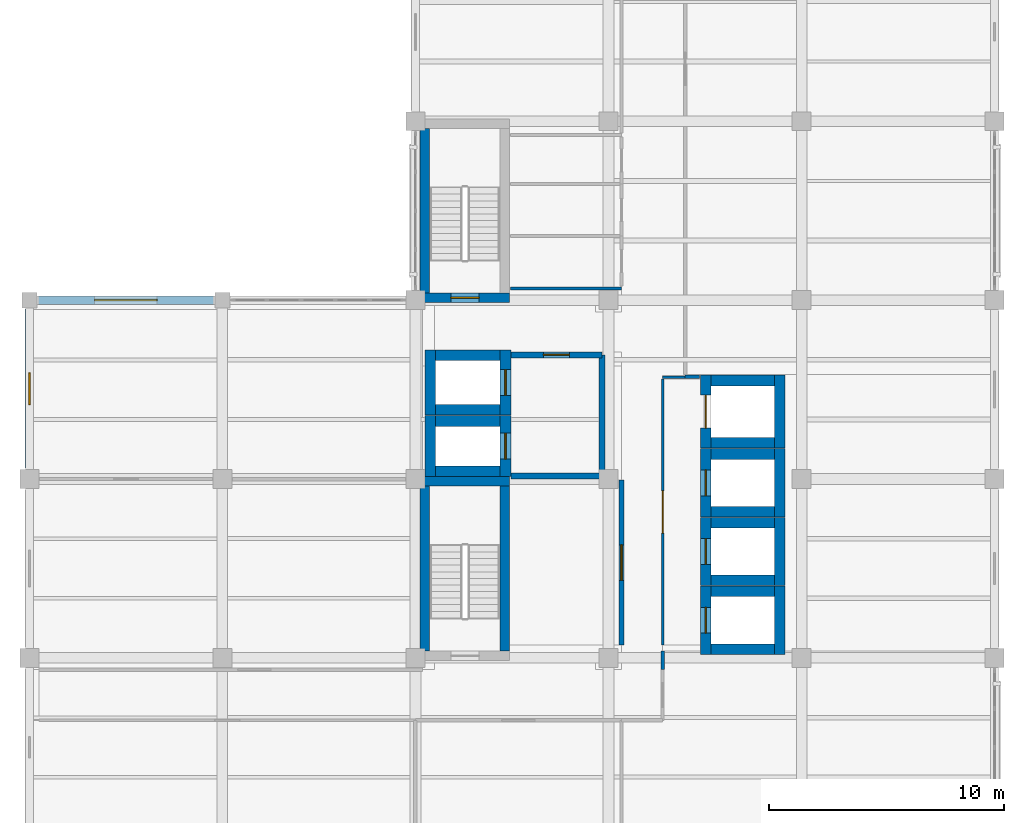
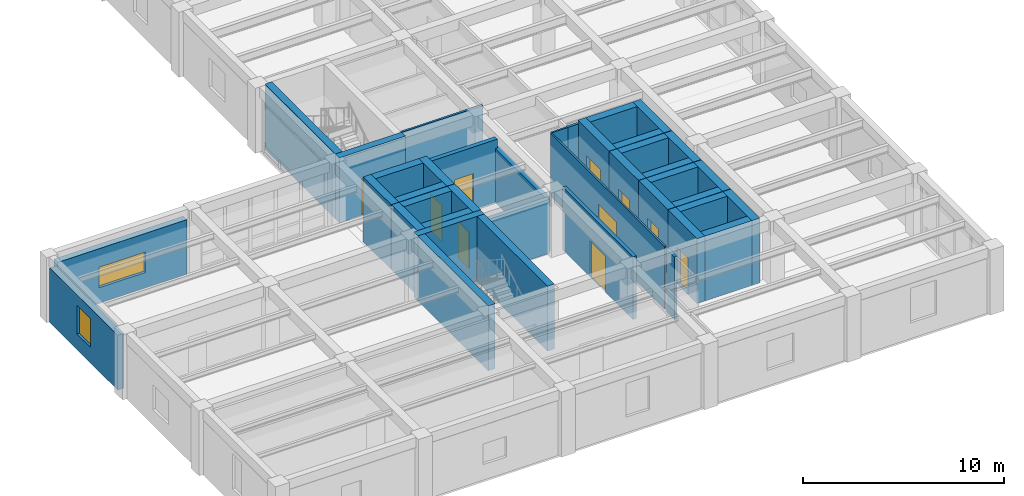
# One storey, part 8 of 14: 40 walls, 10 doors, 2 windows, 12 openings.
"""IFC4 building model written with IfcOpenShell, lengths in metres."""

from ifc_helpers import new_model, si_unit, direction, frame, frame_2d, origin, place, context, subcontext, project, spatial, rectangle, extrude, material, layer, layer_set, type_object, element, fill, save


model = new_model("IFC4")

# Units and contexts
model_context = context("Model", 3, precision=1e-05, world=origin(), true_north=direction((0.0, 1.0)))
body_context = subcontext(model_context, "Body", "Model", "MODEL_VIEW")
ifc_project = project(units=[si_unit("LENGTHUNIT", "METRE"), si_unit("AREAUNIT", "SQUARE_METRE"), si_unit("VOLUMEUNIT", "CUBIC_METRE"), si_unit("PLANEANGLEUNIT", "RADIAN"), si_unit("MASSUNIT", "GRAM", prefix="KILO")], contexts=[model_context])

# Site, building, storey
site_placement = place(None, origin())
site = spatial("IfcSite", under=ifc_project, at=site_placement, CompositionType="ELEMENT")
building_placement = place(site_placement, origin())
building = spatial("IfcBuilding", under=site, at=building_placement, Name="Qandaris Square Conservatory and Botanical Centre", CompositionType="ELEMENT")
storey_placement = place(building_placement, frame((0.0, 0.0, 40.800048828125)))
storey = spatial("IfcBuildingStorey", under=building, at=storey_placement, Name="L09", CompositionType="ELEMENT", Elevation=40.800048828125)

# Walls
ifc_material_1 = material(Name="Gypsum Plasterboard", Category="gypsum")
ifc_layer_1 = layer(ifc_material_1, 0.14990234375)
ifc_layer_set_1 = layer_set([ifc_layer_1], Name="Gypsum Plasterboard")
wall_type_1 = type_object("IfcWallType", Name="Acoustic Laboratory Partition 150mm", PredefinedType="PARTITIONING", material=ifc_layer_set_1)
wall_1_placement = place(storey_placement, frame((150.64990234375, 36.14990234375, 0.0), z_axis=(0.0, 0.0, 1.0), x_axis=(1.0, 0.0, 0.0)))
element("IfcWall", 1, at=wall_1_placement, inside=storey, type_object=wall_type_1, Name="Interior Partition IW-L09-0319", PredefinedType="PARTITIONING", context=body_context, shape_type="SweptSolid", body=[
    extrude(rectangle(XDim=0.6201171875, YDim=0.14990234375, at=frame_2d((0.31005859375, 0.0))), origin(), (0.0, 0.0, 1.0), 3.804931640625),
])
wall_2_placement = place(storey_placement, frame((149.699951171875, 24.5, 0.0), z_axis=(0.0, 0.0, 1.0), x_axis=(0.0, -1.0, 0.0)))
element("IfcWall", 2, at=wall_2_placement, inside=storey, type_object=wall_type_1, Name="Interior Partition IW-L09-0327", PredefinedType="PARTITIONING", context=body_context, shape_type="SweptSolid", body=[
    extrude(rectangle(XDim=0.800048828125, YDim=0.14990234375, at=frame_2d((0.39990234375, 0.0))), origin(), (0.0, 0.0, 1.0), 3.804931640625),
])

# Wall, opening, window
ifc_material_2 = material(Name="Precast concrete C40/50", Category="concrete")
ifc_layer_2 = layer(ifc_material_2, 0.360107421875)
ifc_layer_set_2 = layer_set([ifc_layer_2], Name="Precast concrete C40/50")
wall_type_2 = type_object("IfcWallType", Name="Architectural Precast Cladding Wall 360mm", PredefinedType="SOLIDWALL", material=ifc_layer_set_2)
wall_3_placement = place(storey_placement, frame((130.614990234375, 39.39990234375, 0.0), z_axis=(0.0, 0.0, 1.0), x_axis=(-1.0, 0.0, 0.0)))
wall_3 = element("IfcWall", 3, at=wall_3_placement, inside=storey, type_object=wall_type_2, Name="Exterior Wall EW-TWR-L09-5-2", PredefinedType="SOLIDWALL", context=body_context, shape_type="SweptSolid", body=[
    extrude(rectangle(XDim=7.429931640625, YDim=0.360107421875, at=frame_2d((3.71484375, 0.0))), origin(), (0.0, 0.0, 1.0), 3.324951171875),
])
opening_1_placement = place(wall_3_placement, frame((2.389892578125, 0.0, 0.949951171875)))
opening_1 = element("IfcOpeningElement", 4, at=opening_1_placement, cuts=wall_3, Name="Opening WN-41", PredefinedType="OPENING", context=body_context, shape_type="SweptSolid", body=[
    extrude(rectangle(XDim=2.64990234375, YDim=1.25, at=frame_2d((1.324951171875, 0.625))), frame((0.0, 0.19189453125, 0.0), z_axis=(0.0, -1.0, 0.0), x_axis=(1.0, 0.0, 0.0)), (0.0, 0.0, 1.0), 0.384033203125),
])
ifc_material_3 = material(Name="Tempered Low-E Glass", Category="glass")
window_type_1 = type_object("IfcWindowType", Name="Solar Control Window 2650x1250", PartitioningType="DOUBLE_PANEL_VERTICAL", PredefinedType="WINDOW", material=ifc_material_3)
window_1_placement = place(opening_1_placement, origin())
window_1 = element("IfcWindow", 5, at=window_1_placement, inside=storey, type_object=window_type_1, Name="Window EW-TWR-L09-5-2", OverallHeight=1.25, OverallWidth=2.64990234375, PartitioningType="DOUBLE_PANEL_VERTICAL", PredefinedType="WINDOW", context=body_context, shape_type="SweptSolid", body=[
    extrude(rectangle(XDim=2.64990234375, YDim=1.25, at=frame_2d((1.324951171875, 0.625))), frame((0.0, 0.030029296875, 0.0), z_axis=(0.0, -1.0, 0.0), x_axis=(1.0, 0.0, 0.0)), (0.0, 0.0, 1.0), 0.06005859375),
])
fill(opening_1, window_1)

wall_4_placement = place(storey_placement, frame((122.800048828125, 39.014892578125, 0.0), z_axis=(0.0, 0.0, 1.0), x_axis=(0.0, -1.0, 0.0)))
wall_4 = element("IfcWall", 6, at=wall_4_placement, inside=storey, type_object=wall_type_2, Name="Exterior Wall EW-TWR-L09-6-1", PredefinedType="SOLIDWALL", context=body_context, shape_type="SweptSolid", body=[
    extrude(rectangle(XDim=6.7548828125, YDim=0.360107421875, at=frame_2d((3.37744140625, 0.0))), origin(), (0.0, 0.0, 1.0), 3.324951171875),
])
opening_2_placement = place(wall_4_placement, frame((2.702392578125, 0.0, 0.949951171875)))
opening_2 = element("IfcOpeningElement", 7, at=opening_2_placement, cuts=wall_4, Name="Opening WN-23", PredefinedType="OPENING", context=body_context, shape_type="SweptSolid", body=[
    extrude(rectangle(XDim=1.35009765625, YDim=1.75, at=frame_2d((0.675048828125, 0.875))), frame((0.0, 0.19189453125, 0.0), z_axis=(0.0, -1.0, 0.0), x_axis=(1.0, 0.0, 0.0)), (0.0, 0.0, 1.0), 0.384033203125),
])
window_type_2 = type_object("IfcWindowType", Name="Solar Control Window 1350x1750", PartitioningType="SINGLE_PANEL", PredefinedType="WINDOW", material=ifc_material_3)
window_2_placement = place(opening_2_placement, origin())
window_2 = element("IfcWindow", 8, at=window_2_placement, inside=storey, type_object=window_type_2, Name="Window EW-TWR-L09-6-1", OverallHeight=1.75, OverallWidth=1.35009765625, PartitioningType="SINGLE_PANEL", PredefinedType="WINDOW", context=body_context, shape_type="SweptSolid", body=[
    extrude(rectangle(XDim=1.35009765625, YDim=1.75, at=frame_2d((0.675048828125, 0.875))), frame((0.0, 0.030029296875, 0.0), z_axis=(0.0, -1.0, 0.0), x_axis=(1.0, 0.0, 0.0)), (0.0, 0.0, 1.0), 0.06005859375),
])
fill(opening_2, window_2)

# Wall, opening, door
ifc_material_4 = material(Name="Concrete C40/50", Category="concrete")
ifc_layer_3 = layer(ifc_material_4, 0.25)
ifc_layer_set_3 = layer_set([ifc_layer_3], Name="Concrete C40/50")
wall_type_3 = type_object("IfcWallType", Name="Firefighting Lobby Compartment Wall 250mm", PredefinedType="SOLIDWALL", material=ifc_layer_set_3)
wall_5_placement = place(storey_placement, frame((143.25, 37.074951171875, 0.0), z_axis=(0.0, 0.0, 1.0), x_axis=(1.0, 0.0, 0.0)))
wall_5 = element("IfcWall", 9, at=wall_5_placement, inside=storey, type_object=wall_type_3, Name="Firefighting Lobby Wall North (L09)", PredefinedType="SOLIDWALL", context=body_context, shape_type="SweptSolid", body=[
    extrude(rectangle(XDim=3.875, YDim=0.25, at=frame_2d((1.9375, 0.0))), origin(), (0.0, 0.0, 1.0), 3.804931640625),
])
opening_3_placement = place(wall_5_placement, frame((1.387451171875, 0.0, 0.0)))
opening_3 = element("IfcOpeningElement", 10, at=opening_3_placement, cuts=wall_5, Name="Opening D-FFL", PredefinedType="OPENING", context=body_context, shape_type="SweptSolid", body=[
    extrude(rectangle(XDim=1.10009765625, YDim=2.199951171875, at=frame_2d((0.550048828125, 1.10009765625))), frame((0.0, 0.136962890625, 0.0), z_axis=(0.0, -1.0, 0.0), x_axis=(1.0, 0.0, 0.0)), (0.0, 0.0, 1.0), 0.27392578125),
])
ifc_material_5 = material(Name="Steel S355", Category="steel")
door_type_1 = type_object("IfcDoorType", Name="Firefighting Lobby Smoke-Seal Door 1100x2200", OperationType="NOTDEFINED", PredefinedType="DOOR", material=ifc_material_5)
door_1_placement = place(opening_3_placement, origin())
door_1 = element("IfcDoor", 11, at=door_1_placement, inside=storey, type_object=door_type_1, Name="DR-0292 Firefighting Lobby Door (L09)", OperationType="SINGLE_SWING_RIGHT", OverallHeight=2.199951171875, OverallWidth=1.10009765625, PredefinedType="DOOR", context=body_context, shape_type="SweptSolid", body=[
    extrude(rectangle(XDim=1.10009765625, YDim=2.199951171875, at=frame_2d((0.550048828125, 1.10009765625))), frame((0.0, 0.02490234375, 0.0), z_axis=(0.0, -1.0, 0.0), x_axis=(1.0, 0.0, 0.0)), (0.0, 0.0, 1.0), 0.050048828125),
])
fill(opening_3, door_1)

# Walls
wall_6_placement = place(storey_placement, frame((143.25, 31.925048828125, 0.0), z_axis=(0.0, 0.0, 1.0), x_axis=(1.0, 0.0, 0.0)))
element("IfcWall", 12, at=wall_6_placement, inside=storey, type_object=wall_type_3, Name="Firefighting Lobby Wall South (L09)", PredefinedType="SOLIDWALL", context=body_context, shape_type="SweptSolid", body=[
    extrude(rectangle(XDim=3.875, YDim=0.25, at=frame_2d((1.9375, 0.0))), origin(), (0.0, 0.0, 1.0), 3.27490234375),
])
wall_7_placement = place(storey_placement, frame((147.125, 31.925048828125, 0.0), z_axis=(0.0, 0.0, 1.0), x_axis=(0.0, 1.0, 0.0)))
element("IfcWall", 13, at=wall_7_placement, inside=storey, type_object=wall_type_3, Name="Firefighting Lobby Wall East (L09)", PredefinedType="SOLIDWALL", context=body_context, shape_type="SweptSolid", body=[
    extrude(rectangle(XDim=5.14990234375, YDim=0.25, at=frame_2d((2.574951171875, 0.0))), origin(), (0.0, 0.0, 1.0), 3.27490234375),
])

# Wall, opening, door
ifc_layer_4 = layer(ifc_material_3, 0.10009765625)
ifc_layer_set_4 = layer_set([ifc_layer_4], Name="Tempered Low-E Glass")
wall_type_4 = type_object("IfcWallType", Name="Framed Acoustic Glazed Gallery Screen 100mm", PredefinedType="PARTITIONING", material=ifc_layer_set_4)
wall_8_placement = place(storey_placement, frame((149.699951171875, 24.75, 0.0), z_axis=(0.0, 0.0, 1.0), x_axis=(0.0, 1.0, 0.0)))
wall_8 = element("IfcWall", 14, at=wall_8_placement, inside=storey, type_object=wall_type_4, Name="Interior Partition IW-L09-0317", PredefinedType="PARTITIONING", context=body_context, shape_type="SweptSolid", body=[
    extrude(rectangle(XDim=11.300048828125, YDim=0.10009765625, at=frame_2d((5.64990234375, 0.0))), origin(), (0.0, 0.0, 1.0), 3.804931640625),
])
opening_4_placement = place(wall_8_placement, frame((4.75, 0.0, 0.0)))
opening_4 = element("IfcOpeningElement", 15, at=opening_4_placement, cuts=wall_8, Name="Opening D-GL1", PredefinedType="OPENING", context=body_context, shape_type="SweptSolid", body=[
    extrude(rectangle(XDim=1.800048828125, YDim=2.39990234375, at=frame_2d((0.89990234375, 1.199951171875))), frame((0.0, 0.06201171875, 0.0), z_axis=(0.0, -1.0, 0.0), x_axis=(1.0, 0.0, 0.0)), (0.0, 0.0, 1.0), 0.1240234375),
])
ifc_material_6 = material(Name="Anodised Aluminium", Category="aluminium")
door_type_2 = type_object("IfcDoorType", Name="Visitor Gallery Glazed Double Door 1800x2400", OperationType="DOUBLE_DOOR_SINGLE_SWING", PredefinedType="DOOR", material=ifc_material_6)
door_2_placement = place(opening_4_placement, frame((1.800048828125, 0.0, 0.0), z_axis=(0.0, 0.0, 1.0), x_axis=(-1.0, 0.0, 0.0)))
door_2 = element("IfcDoor", 16, at=door_2_placement, inside=storey, type_object=door_type_2, Name="DR-0293 Main Circulation Corridor L09 Door", OperationType="DOUBLE_DOOR_SINGLE_SWING", OverallHeight=2.39990234375, OverallWidth=1.800048828125, PredefinedType="DOOR", context=body_context, shape_type="SweptSolid", body=[
    extrude(rectangle(XDim=1.800048828125, YDim=2.39990234375, at=frame_2d((0.89990234375, 1.199951171875))), frame((0.0, 0.02490234375, 0.0), z_axis=(0.0, -1.0, 0.0), x_axis=(1.0, 0.0, 0.0)), (0.0, 0.0, 1.0), 0.050048828125),
])
fill(opening_4, door_2)

# Wall
wall_9_placement = place(storey_placement, frame((149.699951171875, 36.125, 0.0), z_axis=(0.0, 0.0, 1.0), x_axis=(1.0, 0.0, 0.0)))
element("IfcWall", 17, at=wall_9_placement, inside=storey, type_object=wall_type_4, Name="Interior Partition IW-L09-0318", PredefinedType="PARTITIONING", context=body_context, shape_type="SweptSolid", body=[
    extrude(rectangle(XDim=0.949951171875, YDim=0.10009765625, at=frame_2d((0.47509765625, 0.0))), origin(), (0.0, 0.0, 1.0), 3.804931640625),
])

# Wall, opening, door
ifc_layer_5 = layer(ifc_material_4, 0.199951171875)
ifc_layer_set_5 = layer_set([ifc_layer_5], Name="Concrete C40/50")
wall_type_5 = type_object("IfcWallType", Name="Herbarium & Plant Compartment Wall 200mm", PredefinedType="PARTITIONING", material=ifc_layer_set_5)
wall_10_placement = place(storey_placement, frame((147.949951171875, 31.75, 0.0), z_axis=(0.0, 0.0, 1.0), x_axis=(0.0, -1.0, 0.0)))
wall_10 = element("IfcWall", 18, at=wall_10_placement, inside=storey, type_object=wall_type_5, Name="Interior Partition IW-L09-0316", PredefinedType="PARTITIONING", context=body_context, shape_type="SweptSolid", body=[
    extrude(rectangle(XDim=7.0, YDim=0.199951171875, at=frame_2d((3.5, 0.0))), origin(), (0.0, 0.0, 1.0), 3.804931640625),
])
opening_5_placement = place(wall_10_placement, frame((2.75, 0.0, 0.0)))
opening_5 = element("IfcOpeningElement", 19, at=opening_5_placement, cuts=wall_10, Name="Opening D-PLT1", PredefinedType="OPENING", context=body_context, shape_type="SweptSolid", body=[
    extrude(rectangle(XDim=1.5, YDim=2.199951171875, at=frame_2d((0.75, 1.10009765625))), frame((0.0, 0.11181640625, 0.0), z_axis=(0.0, -1.0, 0.0), x_axis=(1.0, 0.0, 0.0)), (0.0, 0.0, 1.0), 0.223876953125),
])
door_type_3 = type_object("IfcDoorType", Name="Plant & Riser Double Fire Door 1500x2200", OperationType="DOUBLE_DOOR_SINGLE_SWING", PredefinedType="DOOR", material=ifc_material_5)
door_3_placement = place(opening_5_placement, origin())
door_3 = element("IfcDoor", 20, at=door_3_placement, inside=storey, type_object=door_type_3, Name="DR-0303 Electrical and Telecom Riser Room L09 Door", OperationType="DOUBLE_DOOR_SINGLE_SWING", OverallHeight=2.199951171875, OverallWidth=1.5, PredefinedType="DOOR", context=body_context, shape_type="SweptSolid", body=[
    extrude(rectangle(XDim=1.5, YDim=2.199951171875, at=frame_2d((0.75, 1.10009765625))), frame((0.0, 0.02490234375, 0.0), z_axis=(0.0, -1.0, 0.0), x_axis=(1.0, 0.0, 0.0)), (0.0, 0.0, 1.0), 0.050048828125),
])
fill(opening_5, door_3)

# Walls
ifc_material_7 = material(Name="Concrete C50/60", Category="concrete")
ifc_layer_6 = layer(ifc_material_7, 0.449951171875)
ifc_layer_set_6 = layer_set([ifc_layer_6], Name="Concrete C50/60")
wall_type_6 = type_object("IfcWallType", Name="RC Coupled Core Shear Wall 450mm", PredefinedType="SHEAR", material=ifc_layer_set_6)
for number, where, z_axis, x_axis, name in (
    (21, (140.06005859375, 32.135009765625, 0.0), (0.0, 0.0, 1.0), (1.0, 0.0, 0.0), "Lift FFL1 Shaft Wall South (L09)"),
    (22, (140.06005859375, 34.264892578125, 0.0), (0.0, 0.0, 1.0), (1.0, 0.0, 0.0), "Lift FFL1 Shaft Wall North (L09)"),
):
    element("IfcWall", number, at=place(storey_placement, frame(where, z_axis=z_axis, x_axis=x_axis)), inside=storey, type_object=wall_type_6, Name=name, PredefinedType="SHEAR", context=body_context, shape_type="SweptSolid", body=[
        extrude(rectangle(XDim=2.739990234375, YDim=0.449951171875, at=frame_2d((1.3701171875, 0.0))), origin(), (0.0, 0.0, 1.0), 3.93994140625),
    ])
wall_11_placement = place(storey_placement, frame((139.8349609375, 31.909912109375, 0.0), z_axis=(0.0, 0.0, 1.0), x_axis=(0.0, 1.0, 0.0)))
element("IfcWall", 23, at=wall_11_placement, inside=storey, type_object=wall_type_6, Name="Lift FFL1 Shaft Wall West (L09)", PredefinedType="SHEAR", context=body_context, shape_type="SweptSolid", body=[
    extrude(rectangle(XDim=2.580078125, YDim=0.449951171875, at=frame_2d((1.2900390625, 0.0))), origin(), (0.0, 0.0, 1.0), 3.93994140625),
])

# Wall, opening, door
wall_12_placement = place(storey_placement, frame((143.02490234375, 31.909912109375, 0.0), z_axis=(0.0, 0.0, 1.0), x_axis=(0.0, 1.0, 0.0)))
wall_12 = element("IfcWall", 24, at=wall_12_placement, inside=storey, type_object=wall_type_6, Name="Lift FFL1 Shaft Wall East (L09)", PredefinedType="SHEAR", context=body_context, shape_type="SweptSolid", body=[
    extrude(rectangle(XDim=2.580078125, YDim=0.449951171875, at=frame_2d((1.2900390625, 0.0))), origin(), (0.0, 0.0, 1.0), 3.93994140625),
])
opening_6_placement = place(wall_12_placement, frame((0.739990234375, 0.0, 0.0)))
opening_6 = element("IfcOpeningElement", 25, at=opening_6_placement, cuts=wall_12, Name="Opening LD-FFL", PredefinedType="OPENING", context=body_context, shape_type="SweptSolid", body=[
    extrude(rectangle(XDim=1.10009765625, YDim=2.199951171875, at=frame_2d((0.550048828125, 1.10009765625))), frame((0.0, 0.23681640625, 0.0), z_axis=(0.0, -1.0, 0.0), x_axis=(1.0, 0.0, 0.0)), (0.0, 0.0, 1.0), 0.473876953125),
])
door_type_4 = type_object("IfcDoorType", Name="Firefighting Lift Sliding Landing Door 1100x2200", OperationType="DOUBLE_DOOR_SLIDING", PredefinedType="DOOR", material=ifc_material_5)
door_4_placement = place(opening_6_placement, origin())
door_4 = element("IfcDoor", 26, at=door_4_placement, inside=storey, type_object=door_type_4, Name="DR-0309 Lift FFL1 Landing Door (L09)", OperationType="DOUBLE_DOOR_SLIDING", OverallHeight=2.199951171875, OverallWidth=1.10009765625, PredefinedType="DOOR", context=body_context, shape_type="SweptSolid", body=[
    extrude(rectangle(XDim=1.10009765625, YDim=2.199951171875, at=frame_2d((0.550048828125, 1.10009765625))), frame((0.0, 0.02490234375, 0.0), z_axis=(0.0, -1.0, 0.0), x_axis=(1.0, 0.0, 0.0)), (0.0, 0.0, 1.0), 0.050048828125),
])
fill(opening_6, door_4)

# Walls
for number, where, z_axis, x_axis, name in (
    (27, (140.06005859375, 34.735107421875, 0.0), (0.0, 0.0, 1.0), (1.0, 0.0, 0.0), "Lift FFL2 Shaft Wall South (L09)"),
    (28, (140.06005859375, 37.06494140625, 0.0), (0.0, 0.0, 1.0), (1.0, 0.0, 0.0), "Lift FFL2 Shaft Wall North (L09)"),
):
    element("IfcWall", number, at=place(storey_placement, frame(where, z_axis=z_axis, x_axis=x_axis)), inside=storey, type_object=wall_type_6, Name=name, PredefinedType="SHEAR", context=body_context, shape_type="SweptSolid", body=[
        extrude(rectangle(XDim=2.739990234375, YDim=0.449951171875, at=frame_2d((1.3701171875, 0.0))), origin(), (0.0, 0.0, 1.0), 3.93994140625),
    ])
wall_13_placement = place(storey_placement, frame((139.8349609375, 34.510009765625, 0.0), z_axis=(0.0, 0.0, 1.0), x_axis=(0.0, 1.0, 0.0)))
element("IfcWall", 29, at=wall_13_placement, inside=storey, type_object=wall_type_6, Name="Lift FFL2 Shaft Wall West (L09)", PredefinedType="SHEAR", context=body_context, shape_type="SweptSolid", body=[
    extrude(rectangle(XDim=2.780029296875, YDim=0.449951171875, at=frame_2d((1.39013671875, 0.0))), origin(), (0.0, 0.0, 1.0), 3.93994140625),
])

# Wall, opening, door
wall_14_placement = place(storey_placement, frame((143.02490234375, 34.510009765625, 0.0), z_axis=(0.0, 0.0, 1.0), x_axis=(0.0, 1.0, 0.0)))
wall_14 = element("IfcWall", 30, at=wall_14_placement, inside=storey, type_object=wall_type_6, Name="Lift FFL2 Shaft Wall East (L09)", PredefinedType="SHEAR", context=body_context, shape_type="SweptSolid", body=[
    extrude(rectangle(XDim=2.780029296875, YDim=0.449951171875, at=frame_2d((1.39013671875, 0.0))), origin(), (0.0, 0.0, 1.0), 3.93994140625),
])
opening_7_placement = place(wall_14_placement, frame((0.840087890625, 0.0, 0.0)))
opening_7 = element("IfcOpeningElement", 31, at=opening_7_placement, cuts=wall_14, Name="Opening LD-FFL", PredefinedType="OPENING", context=body_context, shape_type="SweptSolid", body=[
    extrude(rectangle(XDim=1.10009765625, YDim=2.199951171875, at=frame_2d((0.550048828125, 1.10009765625))), frame((0.0, 0.23681640625, 0.0), z_axis=(0.0, -1.0, 0.0), x_axis=(1.0, 0.0, 0.0)), (0.0, 0.0, 1.0), 0.473876953125),
])
door_5_placement = place(opening_7_placement, origin())
door_5 = element("IfcDoor", 32, at=door_5_placement, inside=storey, type_object=door_type_4, Name="DR-0310 Lift FFL2 Landing Door (L09)", OperationType="DOUBLE_DOOR_SLIDING", OverallHeight=2.199951171875, OverallWidth=1.10009765625, PredefinedType="DOOR", context=body_context, shape_type="SweptSolid", body=[
    extrude(rectangle(XDim=1.10009765625, YDim=2.199951171875, at=frame_2d((0.550048828125, 1.10009765625))), frame((0.0, 0.02490234375, 0.0), z_axis=(0.0, -1.0, 0.0), x_axis=(1.0, 0.0, 0.0)), (0.0, 0.0, 1.0), 0.050048828125),
])
fill(opening_7, door_5)

# Walls
for number, where, z_axis, x_axis, name in (
    (33, (151.75, 24.574951171875, 0.0), (0.0, 0.0, 1.0), (1.0, 0.0, 0.0), "Lift PL1 Shaft Wall South (L09)"),
    (34, (151.75, 27.02490234375, 0.0), (0.0, 0.0, 1.0), (1.0, 0.0, 0.0), "Lift PL1 Shaft Wall North (L09)"),
):
    element("IfcWall", number, at=place(storey_placement, frame(where, z_axis=z_axis, x_axis=x_axis)), inside=storey, type_object=wall_type_6, Name=name, PredefinedType="SHEAR", context=body_context, shape_type="SweptSolid", body=[
        extrude(rectangle(XDim=2.699951171875, YDim=0.449951171875, at=frame_2d((1.35009765625, 0.0))), origin(), (0.0, 0.0, 1.0), 3.93994140625),
    ])

# Wall, opening, door
wall_15_placement = place(storey_placement, frame((151.52490234375, 24.35009765625, 0.0), z_axis=(0.0, 0.0, 1.0), x_axis=(0.0, 1.0, 0.0)))
wall_15 = element("IfcWall", 35, at=wall_15_placement, inside=storey, type_object=wall_type_6, Name="Lift PL1 Shaft Wall West (L09)", PredefinedType="SHEAR", context=body_context, shape_type="SweptSolid", body=[
    extrude(rectangle(XDim=2.89990234375, YDim=0.449951171875, at=frame_2d((1.449951171875, 0.0))), origin(), (0.0, 0.0, 1.0), 3.93994140625),
])
opening_8_placement = place(wall_15_placement, frame((0.89990234375, 0.0, 0.0)))
opening_8 = element("IfcOpeningElement", 36, at=opening_8_placement, cuts=wall_15, Name="Opening LD-PAX", PredefinedType="OPENING", context=body_context, shape_type="SweptSolid", body=[
    extrude(rectangle(XDim=1.10009765625, YDim=2.199951171875, at=frame_2d((0.550048828125, 1.10009765625))), frame((0.0, 0.23681640625, 0.0), z_axis=(0.0, -1.0, 0.0), x_axis=(1.0, 0.0, 0.0)), (0.0, 0.0, 1.0), 0.473876953125),
])
door_type_5 = type_object("IfcDoorType", Name="Passenger Lift Sliding Landing Door 1100x2200", OperationType="DOUBLE_DOOR_SLIDING", PredefinedType="DOOR", material=ifc_material_6)
door_6_placement = place(opening_8_placement, origin())
door_6 = element("IfcDoor", 37, at=door_6_placement, inside=storey, type_object=door_type_5, Name="DR-0312 Lift PL1 Landing Door (L09)", OperationType="DOUBLE_DOOR_SLIDING", OverallHeight=2.199951171875, OverallWidth=1.10009765625, PredefinedType="DOOR", context=body_context, shape_type="SweptSolid", body=[
    extrude(rectangle(XDim=1.10009765625, YDim=2.199951171875, at=frame_2d((0.550048828125, 1.10009765625))), frame((0.0, 0.02490234375, 0.0), z_axis=(0.0, -1.0, 0.0), x_axis=(1.0, 0.0, 0.0)), (0.0, 0.0, 1.0), 0.050048828125),
])
fill(opening_8, door_6)

# Walls
wall_16_placement = place(storey_placement, frame((154.675048828125, 24.35009765625, 0.0), z_axis=(0.0, 0.0, 1.0), x_axis=(0.0, 1.0, 0.0)))
element("IfcWall", 38, at=wall_16_placement, inside=storey, type_object=wall_type_6, Name="Lift PL1 Shaft Wall East (L09)", PredefinedType="SHEAR", context=body_context, shape_type="SweptSolid", body=[
    extrude(rectangle(XDim=2.89990234375, YDim=0.449951171875, at=frame_2d((1.449951171875, 0.0))), origin(), (0.0, 0.0, 1.0), 3.93994140625),
])
for number, where, z_axis, x_axis, name in (
    (39, (151.75, 27.4951171875, 0.0), (0.0, 0.0, 1.0), (1.0, 0.0, 0.0), "Lift PL2 Shaft Wall South (L09)"),
    (40, (151.75, 29.945068359375, 0.0), (0.0, 0.0, 1.0), (1.0, 0.0, 0.0), "Lift PL2 Shaft Wall North (L09)"),
):
    element("IfcWall", number, at=place(storey_placement, frame(where, z_axis=z_axis, x_axis=x_axis)), inside=storey, type_object=wall_type_6, Name=name, PredefinedType="SHEAR", context=body_context, shape_type="SweptSolid", body=[
        extrude(rectangle(XDim=2.699951171875, YDim=0.449951171875, at=frame_2d((1.35009765625, 0.0))), origin(), (0.0, 0.0, 1.0), 3.93994140625),
    ])

# Wall, opening, door
wall_17_placement = place(storey_placement, frame((151.52490234375, 27.27001953125, 0.0), z_axis=(0.0, 0.0, 1.0), x_axis=(0.0, 1.0, 0.0)))
wall_17 = element("IfcWall", 41, at=wall_17_placement, inside=storey, type_object=wall_type_6, Name="Lift PL2 Shaft Wall West (L09)", PredefinedType="SHEAR", context=body_context, shape_type="SweptSolid", body=[
    extrude(rectangle(XDim=2.89990234375, YDim=0.449951171875, at=frame_2d((1.449951171875, 0.0))), origin(), (0.0, 0.0, 1.0), 3.93994140625),
])
opening_9_placement = place(wall_17_placement, frame((0.89990234375, 0.0, 0.0)))
opening_9 = element("IfcOpeningElement", 42, at=opening_9_placement, cuts=wall_17, Name="Opening LD-PAX", PredefinedType="OPENING", context=body_context, shape_type="SweptSolid", body=[
    extrude(rectangle(XDim=1.10009765625, YDim=2.199951171875, at=frame_2d((0.550048828125, 1.10009765625))), frame((0.0, 0.23681640625, 0.0), z_axis=(0.0, -1.0, 0.0), x_axis=(1.0, 0.0, 0.0)), (0.0, 0.0, 1.0), 0.473876953125),
])
door_7_placement = place(opening_9_placement, origin())
door_7 = element("IfcDoor", 43, at=door_7_placement, inside=storey, type_object=door_type_5, Name="DR-0313 Lift PL2 Landing Door (L09)", OperationType="DOUBLE_DOOR_SLIDING", OverallHeight=2.199951171875, OverallWidth=1.10009765625, PredefinedType="DOOR", context=body_context, shape_type="SweptSolid", body=[
    extrude(rectangle(XDim=1.10009765625, YDim=2.199951171875, at=frame_2d((0.550048828125, 1.10009765625))), frame((0.0, 0.02490234375, 0.0), z_axis=(0.0, -1.0, 0.0), x_axis=(1.0, 0.0, 0.0)), (0.0, 0.0, 1.0), 0.050048828125),
])
fill(opening_9, door_7)

# Walls
wall_18_placement = place(storey_placement, frame((154.675048828125, 27.27001953125, 0.0), z_axis=(0.0, 0.0, 1.0), x_axis=(0.0, 1.0, 0.0)))
element("IfcWall", 44, at=wall_18_placement, inside=storey, type_object=wall_type_6, Name="Lift PL2 Shaft Wall East (L09)", PredefinedType="SHEAR", context=body_context, shape_type="SweptSolid", body=[
    extrude(rectangle(XDim=2.89990234375, YDim=0.449951171875, at=frame_2d((1.449951171875, 0.0))), origin(), (0.0, 0.0, 1.0), 3.93994140625),
])
for number, where, z_axis, x_axis, name in (
    (45, (151.75, 30.4150390625, 0.0), (0.0, 0.0, 1.0), (1.0, 0.0, 0.0), "Lift PL3 Shaft Wall South (L09)"),
    (46, (151.75, 32.864990234375, 0.0), (0.0, 0.0, 1.0), (1.0, 0.0, 0.0), "Lift PL3 Shaft Wall North (L09)"),
):
    element("IfcWall", number, at=place(storey_placement, frame(where, z_axis=z_axis, x_axis=x_axis)), inside=storey, type_object=wall_type_6, Name=name, PredefinedType="SHEAR", context=body_context, shape_type="SweptSolid", body=[
        extrude(rectangle(XDim=2.699951171875, YDim=0.449951171875, at=frame_2d((1.35009765625, 0.0))), origin(), (0.0, 0.0, 1.0), 3.93994140625),
    ])

# Wall, opening, door
wall_19_placement = place(storey_placement, frame((151.52490234375, 30.18994140625, 0.0), z_axis=(0.0, 0.0, 1.0), x_axis=(0.0, 1.0, 0.0)))
wall_19 = element("IfcWall", 47, at=wall_19_placement, inside=storey, type_object=wall_type_6, Name="Lift PL3 Shaft Wall West (L09)", PredefinedType="SHEAR", context=body_context, shape_type="SweptSolid", body=[
    extrude(rectangle(XDim=2.900146484375, YDim=0.449951171875, at=frame_2d((1.4501953125, 0.0))), origin(), (0.0, 0.0, 1.0), 3.93994140625),
])
opening_10_placement = place(wall_19_placement, frame((0.89990234375, 0.0, 0.0)))
opening_10 = element("IfcOpeningElement", 48, at=opening_10_placement, cuts=wall_19, Name="Opening LD-PAX", PredefinedType="OPENING", context=body_context, shape_type="SweptSolid", body=[
    extrude(rectangle(XDim=1.10009765625, YDim=2.199951171875, at=frame_2d((0.550048828125, 1.10009765625))), frame((0.0, 0.23681640625, 0.0), z_axis=(0.0, -1.0, 0.0), x_axis=(1.0, 0.0, 0.0)), (0.0, 0.0, 1.0), 0.473876953125),
])
door_8_placement = place(opening_10_placement, origin())
door_8 = element("IfcDoor", 49, at=door_8_placement, inside=storey, type_object=door_type_5, Name="DR-0314 Lift PL3 Landing Door (L09)", OperationType="DOUBLE_DOOR_SLIDING", OverallHeight=2.199951171875, OverallWidth=1.10009765625, PredefinedType="DOOR", context=body_context, shape_type="SweptSolid", body=[
    extrude(rectangle(XDim=1.10009765625, YDim=2.199951171875, at=frame_2d((0.550048828125, 1.10009765625))), frame((0.0, 0.02490234375, 0.0), z_axis=(0.0, -1.0, 0.0), x_axis=(1.0, 0.0, 0.0)), (0.0, 0.0, 1.0), 0.050048828125),
])
fill(opening_10, door_8)

# Walls
wall_20_placement = place(storey_placement, frame((154.675048828125, 30.18994140625, 0.0), z_axis=(0.0, 0.0, 1.0), x_axis=(0.0, 1.0, 0.0)))
element("IfcWall", 50, at=wall_20_placement, inside=storey, type_object=wall_type_6, Name="Lift PL3 Shaft Wall East (L09)", PredefinedType="SHEAR", context=body_context, shape_type="SweptSolid", body=[
    extrude(rectangle(XDim=2.900146484375, YDim=0.449951171875, at=frame_2d((1.4501953125, 0.0))), origin(), (0.0, 0.0, 1.0), 3.93994140625),
])
for number, where, z_axis, x_axis, name in (
    (51, (151.75, 33.3349609375, 0.0), (0.0, 0.0, 1.0), (1.0, 0.0, 0.0), "Lift GL1 Shaft Wall South (L09)"),
    (52, (151.75, 35.985107421875, 0.0), (0.0, 0.0, 1.0), (1.0, 0.0, 0.0), "Lift GL1 Shaft Wall North (L09)"),
):
    element("IfcWall", number, at=place(storey_placement, frame(where, z_axis=z_axis, x_axis=x_axis)), inside=storey, type_object=wall_type_6, Name=name, PredefinedType="SHEAR", context=body_context, shape_type="SweptSolid", body=[
        extrude(rectangle(XDim=2.699951171875, YDim=0.449951171875, at=frame_2d((1.35009765625, 0.0))), origin(), (0.0, 0.0, 1.0), 3.93994140625),
    ])

# Wall, opening, door
wall_21_placement = place(storey_placement, frame((151.52490234375, 33.110107421875, 0.0), z_axis=(0.0, 0.0, 1.0), x_axis=(0.0, 1.0, 0.0)))
wall_21 = element("IfcWall", 53, at=wall_21_placement, inside=storey, type_object=wall_type_6, Name="Lift GL1 Shaft Wall West (L09)", PredefinedType="SHEAR", context=body_context, shape_type="SweptSolid", body=[
    extrude(rectangle(XDim=3.099853515625, YDim=0.449951171875, at=frame_2d((1.5498046875, 0.0))), origin(), (0.0, 0.0, 1.0), 3.93994140625),
])
opening_11_placement = place(wall_21_placement, frame((0.85009765625, 0.0, 0.0)))
opening_11 = element("IfcOpeningElement", 54, at=opening_11_placement, cuts=wall_21, Name="Opening LD-GDS", PredefinedType="OPENING", context=body_context, shape_type="SweptSolid", body=[
    extrude(rectangle(XDim=1.39990234375, YDim=2.300048828125, at=frame_2d((0.699951171875, 1.14990234375))), frame((0.0, 0.23681640625, 0.0), z_axis=(0.0, -1.0, 0.0), x_axis=(1.0, 0.0, 0.0)), (0.0, 0.0, 1.0), 0.473876953125),
])
door_type_6 = type_object("IfcDoorType", Name="Goods & Herbarium Lift Sliding Landing Door 1400x2300", OperationType="DOUBLE_DOOR_SLIDING", PredefinedType="DOOR", material=ifc_material_5)
door_9_placement = place(opening_11_placement, origin())
door_9 = element("IfcDoor", 55, at=door_9_placement, inside=storey, type_object=door_type_6, Name="DR-0311 Lift GL1 Landing Door (L09)", OperationType="DOUBLE_DOOR_SLIDING", OverallHeight=2.300048828125, OverallWidth=1.39990234375, PredefinedType="DOOR", context=body_context, shape_type="SweptSolid", body=[
    extrude(rectangle(XDim=1.39990234375, YDim=2.300048828125, at=frame_2d((0.699951171875, 1.14990234375))), frame((0.0, 0.02490234375, 0.0), z_axis=(0.0, -1.0, 0.0), x_axis=(1.0, 0.0, 0.0)), (0.0, 0.0, 1.0), 0.050048828125),
])
fill(opening_11, door_9)

# Walls
wall_22_placement = place(storey_placement, frame((154.675048828125, 33.110107421875, 0.0), z_axis=(0.0, 0.0, 1.0), x_axis=(0.0, 1.0, 0.0)))
element("IfcWall", 56, at=wall_22_placement, inside=storey, type_object=wall_type_6, Name="Lift GL1 Shaft Wall East (L09)", PredefinedType="SHEAR", context=body_context, shape_type="SweptSolid", body=[
    extrude(rectangle(XDim=3.099853515625, YDim=0.449951171875, at=frame_2d((1.5498046875, 0.0))), origin(), (0.0, 0.0, 1.0), 3.93994140625),
])
ifc_layer_7 = layer(ifc_material_7, 0.39990234375)
ifc_layer_set_7 = layer_set([ifc_layer_7], Name="Concrete C50/60")
wall_type_7 = type_object("IfcWallType", Name="RC Stair Core Shear Wall 400mm", PredefinedType="SHEAR", material=ifc_layer_set_7)
wall_23_placement = place(storey_placement, frame((139.39990234375, 31.699951171875, 0.0), z_axis=(0.0, 0.0, 1.0), x_axis=(1.0, 0.0, 0.0)))
element("IfcWall", 57, at=wall_23_placement, inside=storey, type_object=wall_type_7, Name="ST-1 Core Shear Wall North (L09)", PredefinedType="SHEAR", context=body_context, shape_type="SweptSolid", body=[
    extrude(rectangle(XDim=3.800048828125, YDim=0.39990234375, at=frame_2d((1.89990234375, 0.0))), origin(), (0.0, 0.0, 1.0), 3.93994140625),
])
for number, where, z_axis, x_axis, name in (
    (58, (139.60009765625, 24.5, 0.0), (0.0, 0.0, 1.0), (0.0, 1.0, 0.0), "ST-1 Core Shear Wall West (L09)"),
    (59, (143.0, 24.5, 0.0), (0.0, 0.0, 1.0), (0.0, 1.0, 0.0), "ST-1 Core Shear Wall East (L09)"),
):
    element("IfcWall", number, at=place(storey_placement, frame(where, z_axis=z_axis, x_axis=x_axis)), inside=storey, type_object=wall_type_7, Name=name, PredefinedType="SHEAR", context=body_context, shape_type="SweptSolid", body=[
        extrude(rectangle(XDim=7.0, YDim=0.39990234375, at=frame_2d((3.5, 0.0))), origin(), (0.0, 0.0, 1.0), 3.93994140625),
    ])

# Wall, opening, door
wall_24_placement = place(storey_placement, frame((139.39990234375, 39.5, 0.0), z_axis=(0.0, 0.0, 1.0), x_axis=(1.0, 0.0, 0.0)))
wall_24 = element("IfcWall", 60, at=wall_24_placement, inside=storey, type_object=wall_type_7, Name="ST-2 Core Shear Wall South (L09)", PredefinedType="SHEAR", context=body_context, shape_type="SweptSolid", body=[
    extrude(rectangle(XDim=3.800048828125, YDim=0.39990234375, at=frame_2d((1.89990234375, 0.0))), origin(), (0.0, 0.0, 1.0), 3.93994140625),
])
opening_12_placement = place(wall_24_placement, frame((1.300048828125, 0.0, 0.0)))
opening_12 = element("IfcOpeningElement", 61, at=opening_12_placement, cuts=wall_24, Name="Opening D-ST1", PredefinedType="OPENING", context=body_context, shape_type="SweptSolid", body=[
    extrude(rectangle(XDim=1.199951171875, YDim=2.199951171875, at=frame_2d((0.60009765625, 1.10009765625))), frame((0.0, 0.2119140625, 0.0), z_axis=(0.0, -1.0, 0.0), x_axis=(1.0, 0.0, 0.0)), (0.0, 0.0, 1.0), 0.423828125),
])
door_type_7 = type_object("IfcDoorType", Name="Exit Stair Core Fire Door 1200x2200", OperationType="NOTDEFINED", PredefinedType="DOOR", material=ifc_material_5)
door_10_placement = place(opening_12_placement, origin())
door_10 = element("IfcDoor", 62, at=door_10_placement, inside=storey, type_object=door_type_7, Name="DR-0305 ST-2 Stair Core Door (L09)", OperationType="SINGLE_SWING_LEFT", OverallHeight=2.199951171875, OverallWidth=1.199951171875, PredefinedType="DOOR", context=body_context, shape_type="SweptSolid", body=[
    extrude(rectangle(XDim=1.199951171875, YDim=2.199951171875, at=frame_2d((0.60009765625, 1.10009765625))), frame((0.0, 0.02490234375, 0.0), z_axis=(0.0, -1.0, 0.0), x_axis=(1.0, 0.0, 0.0)), (0.0, 0.0, 1.0), 0.050048828125),
])
fill(opening_12, door_10)

# Walls
wall_25_placement = place(storey_placement, frame((139.60009765625, 39.699951171875, 0.0), z_axis=(0.0, 0.0, 1.0), x_axis=(0.0, 1.0, 0.0)))
element("IfcWall", 63, at=wall_25_placement, inside=storey, type_object=wall_type_7, Name="ST-2 Core Shear Wall West (L09)", PredefinedType="SHEAR", context=body_context, shape_type="SweptSolid", body=[
    extrude(rectangle(XDim=7.0, YDim=0.39990234375, at=frame_2d((3.5, 0.0))), origin(), (0.0, 0.0, 1.0), 3.93994140625),
])
ifc_layer_8 = layer(ifc_material_1, 0.1201171875)
ifc_layer_set_8 = layer_set([ifc_layer_8], Name="Gypsum Plasterboard")
wall_type_8 = type_object("IfcWallType", Name="Standard Research Partition 120mm", PredefinedType="PARTITIONING", material=ifc_layer_set_8)
wall_26_placement = place(storey_placement, frame((143.22998046875, 39.89990234375, 0.0), z_axis=(0.0, 0.0, 1.0), x_axis=(1.0, 0.0, 0.0)))
element("IfcWall", 64, at=wall_26_placement, inside=storey, type_object=wall_type_8, Name="Sanitary Toilet Partition Wall WCW-L09-SOUTH1", PredefinedType="PARTITIONING", context=body_context, shape_type="SweptSolid", body=[
    extrude(rectangle(XDim=4.719970703125, YDim=0.1201171875, at=frame_2d((2.35986328125, 0.0))), origin(), (0.0, 0.0, 1.0), 3.804931640625),
])

save(model, "model.ifc")
